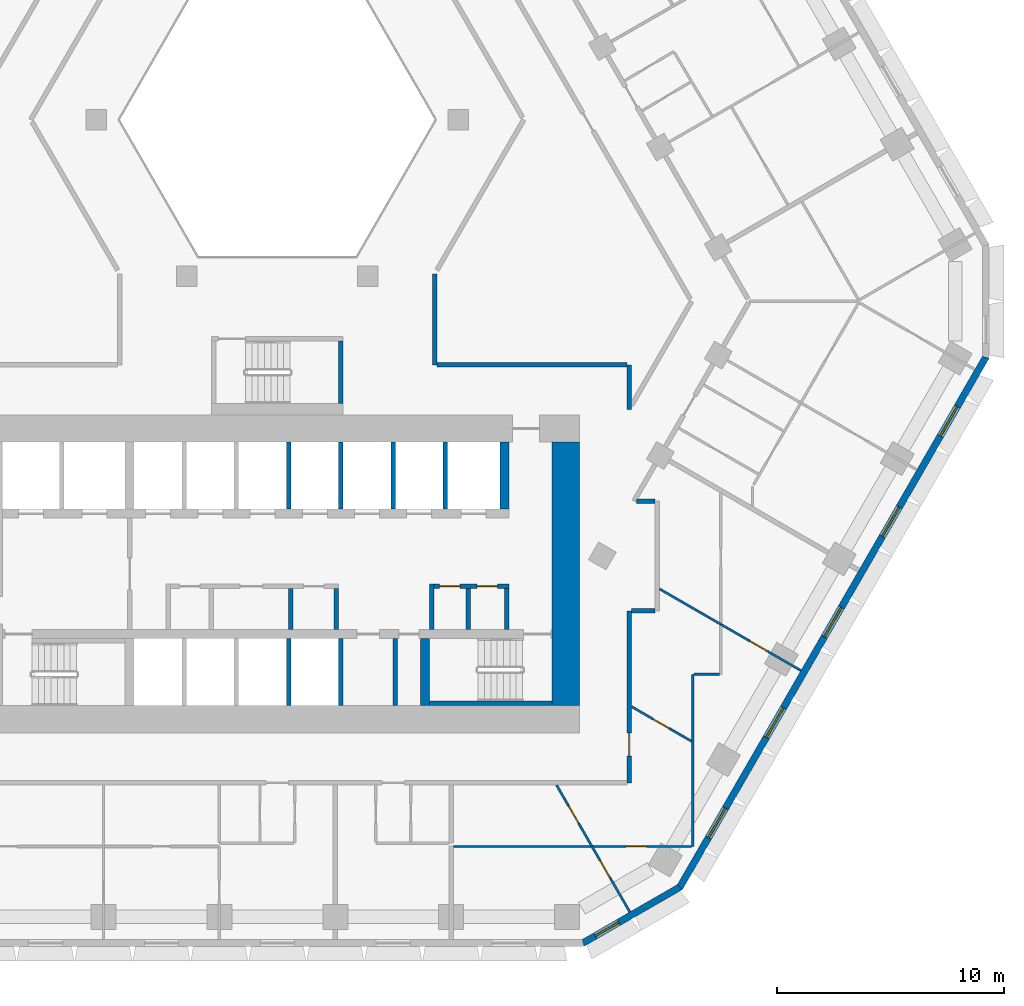
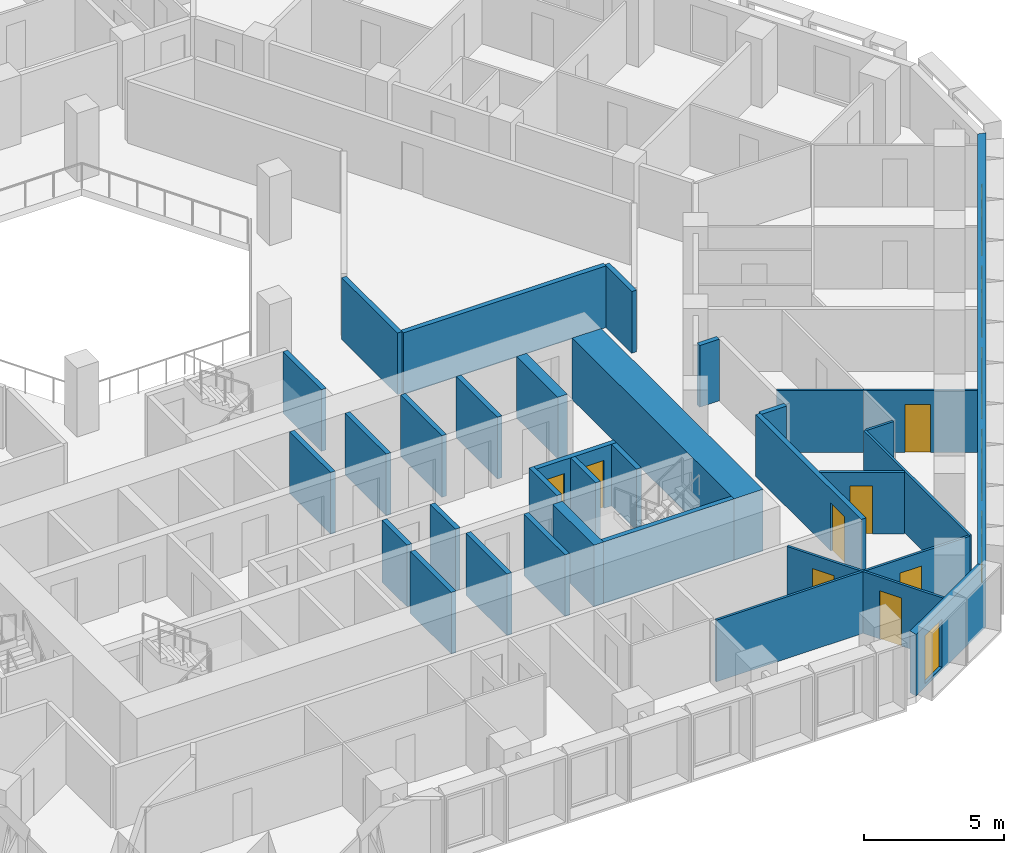
# One storey, part 6 of 16: 34 walls, 8 doors, 6 windows, 14 openings.
"""IFC4 building model written with IfcOpenShell, lengths in metres."""

from ifc_helpers import new_model, si_unit, direction, frame, frame_2d, origin, place, context, subcontext, project, spatial, polyline, rectangle, outline, extrude, material, layer, layer_set, type_object, element, fill, save


model = new_model("IFC4")

# Units and contexts
model_context = context("Model", 3, precision=1e-05, world=origin(), true_north=direction((0.0, 1.0)))
body_context = subcontext(model_context, "Body", "Model", "MODEL_VIEW")
ifc_project = project(units=[si_unit("LENGTHUNIT", "METRE"), si_unit("AREAUNIT", "SQUARE_METRE"), si_unit("VOLUMEUNIT", "CUBIC_METRE"), si_unit("PLANEANGLEUNIT", "RADIAN"), si_unit("MASSUNIT", "GRAM", prefix="KILO")], contexts=[model_context])

# Site, building, storey
site_placement = place(None, origin())
site = spatial("IfcSite", under=ifc_project, at=site_placement, CompositionType="ELEMENT")
building_placement = place(site_placement, origin())
building = spatial("IfcBuilding", under=site, at=building_placement, Name="Beryl Residences", CompositionType="ELEMENT")
storey_placement = place(building_placement, frame((0.0, 0.0, 32.39990234375)))
storey = spatial("IfcBuildingStorey", under=building, at=storey_placement, Name="L09", CompositionType="ELEMENT", Elevation=32.39990234375)

# Wall, opening, window
ifc_material_1 = material(Name="Composite metal panel with mineral wool insulation")
ifc_layer_1 = layer(ifc_material_1, 0.300048828125)
ifc_layer_set_1 = layer_set([ifc_layer_1], Name="ES1 pale metal composite panel wall 300 mm")
wall_type_1 = type_object("IfcWallType", Name="ES1 pale metal composite panel wall 300 mm", PredefinedType="SOLIDWALL", material=ifc_layer_set_1)
wall_1_placement = place(storey_placement, frame((13.43505859375, -28.27001953125, 0.0), z_axis=(0.0, 0.0, 1.0), x_axis=(0.866010750942, 0.50002537861, 0.0)))
wall_1 = element("IfcWall", 1, at=wall_1_placement, inside=storey, type_object=wall_type_1, Name="ES1 external wall L09 S-SE", PredefinedType="SOLIDWALL", context=body_context, shape_type="SweptSolid", body=[
    extrude(outline(polyline([(0.0, -0.14990234375), (4.999755859375, -0.14990234375), (4.91943359375, 0.14990234375), (0.080322265625, 0.14990234375), (0.0, -0.14990234375)])), origin(), (0.0, 0.0, 1.0), 2.7001953125),
])
opening_1_placement = place(wall_1_placement, frame((0.64990234375, 0.0, 0.14990234375)))
opening_1 = element("IfcOpeningElement", 2, at=opening_1_placement, cuts=wall_1, Name="Opening W2", PredefinedType="OPENING", context=body_context, shape_type="SweptSolid", body=[
    extrude(rectangle(XDim=1.199951171875, YDim=2.10009765625, at=frame_2d((0.60009765625, 1.050048828125))), frame((0.0, 0.159912109375, 0.0), z_axis=(0.0, -1.0, 0.0), x_axis=(1.0, 0.0, 0.0)), (0.0, 0.0, 1.0), 0.320068359375),
])
ifc_material_2 = material(Name="Aluminium and clear glass", Category="aluminium")
window_type_1 = type_object("IfcWindowType", Name="W2 chamfer window 1200 x 2100 mm", PartitioningType="SINGLE_PANEL", PredefinedType="WINDOW", material=ifc_material_2)
window_1_placement = place(opening_1_placement, origin())
window_1 = element("IfcWindow", 3, at=window_1_placement, inside=storey, type_object=window_type_1, Name="W2 window L09 S-SE 1", OverallHeight=2.10009765625, OverallWidth=1.199951171875, PartitioningType="SINGLE_PANEL", PredefinedType="WINDOW", context=body_context, shape_type="SweptSolid", body=[
    extrude(rectangle(XDim=1.199951171875, YDim=2.10009765625, at=frame_2d((0.60009765625, 1.050048828125))), frame((0.0, 0.030029296875, 0.0), z_axis=(0.0, -1.0, 0.0), x_axis=(1.0, 0.0, 0.0)), (0.0, 0.0, 1.0), 0.06005859375),
])
fill(opening_1, window_1)

# Wall, openings, windows
wall_2_placement = place(storey_placement, frame((17.7099609375, -25.824951171875, 0.0), z_axis=(0.0, 0.0, 1.0), x_axis=(0.500001938803, 0.866024284413, 0.0)))
wall_2 = element("IfcWall", 4, at=wall_2_placement, inside=storey, type_object=wall_type_1, Name="ES1 external wall L09 SE", PredefinedType="SOLIDWALL", context=body_context, shape_type="SweptSolid", body=[
    extrude(outline(polyline([(0.0, -0.14990234375), (27.02001953125, -0.14990234375), (26.939697265625, 0.14990234375), (0.080322265625, 0.14990234375), (0.0, -0.14990234375)])), origin(), (0.0, 0.0, 1.0), 2.7001953125),
])
opening_2_placement = place(wall_2_placement, frame((2.552978515625, 0.0, 0.14990234375)))
opening_2 = element("IfcOpeningElement", 5, at=opening_2_placement, cuts=wall_2, Name="Opening W1", PredefinedType="OPENING", context=body_context, shape_type="SweptSolid", body=[
    extrude(rectangle(XDim=1.5, YDim=2.10009765625, at=frame_2d((0.75, 1.050048828125))), frame((0.0, 0.159912109375, 0.0), z_axis=(0.0, -1.0, 0.0), x_axis=(1.0, 0.0, 0.0)), (0.0, 0.0, 1.0), 0.320068359375),
])
opening_3_placement = place(wall_2_placement, frame((7.657958984375, 0.0, 0.14990234375)))
opening_3 = element("IfcOpeningElement", 6, at=opening_3_placement, cuts=wall_2, Name="Opening W1", PredefinedType="OPENING", context=body_context, shape_type="SweptSolid", body=[
    extrude(rectangle(XDim=1.5, YDim=2.10009765625, at=frame_2d((0.75, 1.050048828125))), frame((0.0, 0.159912109375, 0.0), z_axis=(0.0, -1.0, 0.0), x_axis=(1.0, 0.0, 0.0)), (0.0, 0.0, 1.0), 0.320068359375),
])
opening_4_placement = place(wall_2_placement, frame((12.760986328125, 0.0, 0.14990234375)))
opening_4 = element("IfcOpeningElement", 7, at=opening_4_placement, cuts=wall_2, Name="Opening W1", PredefinedType="OPENING", context=body_context, shape_type="SweptSolid", body=[
    extrude(rectangle(XDim=1.5, YDim=2.10009765625, at=frame_2d((0.75, 1.050048828125))), frame((0.0, 0.159912109375, 0.0), z_axis=(0.0, -1.0, 0.0), x_axis=(1.0, 0.0, 0.0)), (0.0, 0.0, 1.0), 0.320068359375),
])
opening_5_placement = place(wall_2_placement, frame((17.864990234375, 0.0, 0.14990234375)))
opening_5 = element("IfcOpeningElement", 8, at=opening_5_placement, cuts=wall_2, Name="Opening W1", PredefinedType="OPENING", context=body_context, shape_type="SweptSolid", body=[
    extrude(rectangle(XDim=1.5, YDim=2.10009765625, at=frame_2d((0.75, 1.050048828125))), frame((0.0, 0.159912109375, 0.0), z_axis=(0.0, -1.0, 0.0), x_axis=(1.0, 0.0, 0.0)), (0.0, 0.0, 1.0), 0.320068359375),
])
opening_6_placement = place(wall_2_placement, frame((22.968994140625, 0.0, 0.14990234375)))
opening_6 = element("IfcOpeningElement", 9, at=opening_6_placement, cuts=wall_2, Name="Opening W1", PredefinedType="OPENING", context=body_context, shape_type="SweptSolid", body=[
    extrude(rectangle(XDim=1.5, YDim=2.10009765625, at=frame_2d((0.75, 1.050048828125))), frame((0.0, 0.159912109375, 0.0), z_axis=(0.0, -1.0, 0.0), x_axis=(1.0, 0.0, 0.0)), (0.0, 0.0, 1.0), 0.320068359375),
])
ifc_material_3 = material(Name="Aluminium and clear glass", Category="aluminium")
window_type_2 = type_object("IfcWindowType", Name="W1 cell window 1500 x 2100 mm", PartitioningType="SINGLE_PANEL", PredefinedType="WINDOW", material=ifc_material_3)
window_2_placement = place(opening_2_placement, origin())
window_2 = element("IfcWindow", 10, at=window_2_placement, inside=storey, type_object=window_type_2, Name="W1 window L09 SE 2", OverallHeight=2.10009765625, OverallWidth=1.5, PartitioningType="SINGLE_PANEL", PredefinedType="WINDOW", context=body_context, shape_type="SweptSolid", body=[
    extrude(rectangle(XDim=1.5, YDim=2.10009765625, at=frame_2d((0.75, 1.050048828125))), frame((0.0, 0.030029296875, 0.0), z_axis=(0.0, -1.0, 0.0), x_axis=(1.0, 0.0, 0.0)), (0.0, 0.0, 1.0), 0.06005859375),
])
fill(opening_2, window_2)
window_3_placement = place(opening_3_placement, origin())
window_3 = element("IfcWindow", 11, at=window_3_placement, inside=storey, type_object=window_type_2, Name="W1 window L09 SE 4", OverallHeight=2.10009765625, OverallWidth=1.5, PartitioningType="SINGLE_PANEL", PredefinedType="WINDOW", context=body_context, shape_type="SweptSolid", body=[
    extrude(rectangle(XDim=1.5, YDim=2.10009765625, at=frame_2d((0.75, 1.050048828125))), frame((0.0, 0.030029296875, 0.0), z_axis=(0.0, -1.0, 0.0), x_axis=(1.0, 0.0, 0.0)), (0.0, 0.0, 1.0), 0.06005859375),
])
fill(opening_3, window_3)
window_4_placement = place(opening_4_placement, origin())
window_4 = element("IfcWindow", 12, at=window_4_placement, inside=storey, type_object=window_type_2, Name="W1 window L09 SE 6", OverallHeight=2.10009765625, OverallWidth=1.5, PartitioningType="SINGLE_PANEL", PredefinedType="WINDOW", context=body_context, shape_type="SweptSolid", body=[
    extrude(rectangle(XDim=1.5, YDim=2.10009765625, at=frame_2d((0.75, 1.050048828125))), frame((0.0, 0.030029296875, 0.0), z_axis=(0.0, -1.0, 0.0), x_axis=(1.0, 0.0, 0.0)), (0.0, 0.0, 1.0), 0.06005859375),
])
fill(opening_4, window_4)
window_5_placement = place(opening_5_placement, origin())
window_5 = element("IfcWindow", 13, at=window_5_placement, inside=storey, type_object=window_type_2, Name="W1 window L09 SE 8", OverallHeight=2.10009765625, OverallWidth=1.5, PartitioningType="SINGLE_PANEL", PredefinedType="WINDOW", context=body_context, shape_type="SweptSolid", body=[
    extrude(rectangle(XDim=1.5, YDim=2.10009765625, at=frame_2d((0.75, 1.050048828125))), frame((0.0, 0.030029296875, 0.0), z_axis=(0.0, -1.0, 0.0), x_axis=(1.0, 0.0, 0.0)), (0.0, 0.0, 1.0), 0.06005859375),
])
fill(opening_5, window_5)
window_6_placement = place(opening_6_placement, origin())
window_6 = element("IfcWindow", 14, at=window_6_placement, inside=storey, type_object=window_type_2, Name="W1 window L09 SE 10", OverallHeight=2.10009765625, OverallWidth=1.5, PartitioningType="SINGLE_PANEL", PredefinedType="WINDOW", context=body_context, shape_type="SweptSolid", body=[
    extrude(rectangle(XDim=1.5, YDim=2.10009765625, at=frame_2d((0.75, 1.050048828125))), frame((0.0, 0.030029296875, 0.0), z_axis=(0.0, -1.0, 0.0), x_axis=(1.0, 0.0, 0.0)), (0.0, 0.0, 1.0), 0.06005859375),
])
fill(opening_6, window_6)

# Wall, opening, door
ifc_material_4 = material(Name="Gypsum board partition on steel studs", Category="steel")
ifc_layer_2 = layer(ifc_material_4, 0.10009765625)
ifc_layer_set_2 = layer_set([ifc_layer_2], Name="PT1 partition 100 mm gypsum board on steel studs")
wall_type_2 = type_object("IfcWallType", Name="PT1 partition 100 mm gypsum board on steel studs", PredefinedType="PARTITIONING", material=ifc_layer_set_2)
wall_3_placement = place(storey_placement, frame((12.297119140625, -21.300048828125, 0.0), z_axis=(0.0, 0.0, 1.0), x_axis=(0.500004896655, -0.866022576681, 0.0)))
wall_3 = element("IfcWall", 15, at=wall_3_placement, inside=storey, type_object=wall_type_2, Name="Wall PT1 L09 003", PredefinedType="PARTITIONING", context=body_context, shape_type="SweptSolid", body=[
    extrude(rectangle(XDim=3.11767578125, YDim=0.10009765625, at=frame_2d((1.558837890625, 0.0))), origin(), (0.0, 0.0, 1.0), 2.7001953125),
])
opening_7_placement = place(wall_3_placement, frame((1.051025390625, 0.0, 0.0)))
opening_7 = element("IfcOpeningElement", 16, at=opening_7_placement, cuts=wall_3, Name="Opening D0436", PredefinedType="OPENING", context=body_context, shape_type="SweptSolid", body=[
    extrude(rectangle(XDim=0.89990234375, YDim=2.10009765625, at=frame_2d((0.449951171875, 1.050048828125))), frame((0.0, 0.06005859375, 0.0), z_axis=(0.0, -1.0, 0.0), x_axis=(1.0, 0.0, 0.0)), (0.0, 0.0, 1.0), 0.1201171875),
])
ifc_material_5 = material(Name="Timber door leaf", Category="wood")
door_type_1 = type_object("IfcDoorType", Name="D2 room door 900 x 2100 mm", OperationType="SINGLE_SWING_LEFT", PredefinedType="DOOR", material=ifc_material_5)
door_1_placement = place(opening_7_placement, origin())
door_1 = element("IfcDoor", 17, at=door_1_placement, inside=storey, type_object=door_type_1, Name="Door D0436 L09 001", OperationType="SINGLE_SWING_RIGHT", OverallHeight=2.10009765625, OverallWidth=0.89990234375, PredefinedType="DOOR", context=body_context, shape_type="SweptSolid", body=[
    extrude(rectangle(XDim=0.89990234375, YDim=2.10009765625, at=frame_2d((0.449951171875, 1.050048828125))), frame((0.0, 0.02490234375, 0.0), z_axis=(0.0, -1.0, 0.0), x_axis=(1.0, 0.0, 0.0)), (0.0, 0.0, 1.0), 0.050048828125),
])
fill(opening_7, door_1)

wall_4_placement = place(storey_placement, frame((15.60009765625, -17.845947265625, 0.0), z_axis=(0.0, 0.0, 1.0), x_axis=(0.866148385016, -0.499786929736, 0.0)))
wall_4 = element("IfcWall", 18, at=wall_4_placement, inside=storey, type_object=wall_type_2, Name="Wall PT1 L09 017", PredefinedType="PARTITIONING", context=body_context, shape_type="SweptSolid", body=[
    extrude(rectangle(XDim=3.059326171875, YDim=0.10009765625, at=frame_2d((1.52978515625, 0.0))), origin(), (0.0, 0.0, 1.0), 2.7001953125),
])
opening_8_placement = place(wall_4_placement, frame((1.10107421875, 0.0, 0.0)))
opening_8 = element("IfcOpeningElement", 19, at=opening_8_placement, cuts=wall_4, Name="Opening D0437", PredefinedType="OPENING", context=body_context, shape_type="SweptSolid", body=[
    extrude(rectangle(XDim=0.800048828125, YDim=2.10009765625, at=frame_2d((0.39990234375, 1.050048828125))), frame((0.0, 0.06005859375, 0.0), z_axis=(0.0, -1.0, 0.0), x_axis=(1.0, 0.0, 0.0)), (0.0, 0.0, 1.0), 0.1201171875),
])
ifc_material_6 = material(Name="Timber door leaf", Category="wood")
door_type_2 = type_object("IfcDoorType", Name="D3 bathroom door 800 x 2100 mm", OperationType="SINGLE_SWING_LEFT", PredefinedType="DOOR", material=ifc_material_6)
door_2_placement = place(opening_8_placement, origin())
door_2 = element("IfcDoor", 20, at=door_2_placement, inside=storey, type_object=door_type_2, Name="Door D0437 L09 001", OperationType="SINGLE_SWING_LEFT", OverallHeight=2.10009765625, OverallWidth=0.800048828125, PredefinedType="DOOR", context=body_context, shape_type="SweptSolid", body=[
    extrude(rectangle(XDim=0.800048828125, YDim=2.10009765625, at=frame_2d((0.39990234375, 1.050048828125))), frame((0.0, 0.02490234375, 0.0), z_axis=(0.0, -1.0, 0.0), x_axis=(1.0, 0.0, 0.0)), (0.0, 0.0, 1.0), 0.050048828125),
])
fill(opening_8, door_2)

# Walls
wall_5_placement = place(storey_placement, frame((16.827880859375, -12.660888671875, 0.0), z_axis=(0.0, 0.0, 1.0), x_axis=(0.866008246423, -0.500029716244, 0.0)))
element("IfcWall", 21, at=wall_5_placement, inside=storey, type_object=wall_type_2, Name="Wall PT1 L09 019", PredefinedType="PARTITIONING", context=body_context, shape_type="SweptSolid", body=[
    extrude(rectangle(XDim=3.117919921875, YDim=0.10009765625, at=frame_2d((1.55908203125, 0.0))), origin(), (0.0, 0.0, 1.0), 2.7001953125),
])
wall_6_placement = place(storey_placement, frame((18.35009765625, -16.424072265625, 0.0), z_axis=(0.0, 0.0, 1.0), x_axis=(1.0, 0.0, 0.0)))
element("IfcWall", 22, at=wall_6_placement, inside=storey, type_object=wall_type_2, Name="Wall PT1 L09 029", PredefinedType="PARTITIONING", context=body_context, shape_type="SweptSolid", body=[
    extrude(rectangle(XDim=1.1279296875, YDim=0.10009765625, at=frame_2d((0.56396484375, 0.0))), origin(), (0.0, 0.0, 1.0), 2.7001953125),
])

# Wall, opening, door
wall_7_placement = place(storey_placement, frame((7.757080078125, -24.0, 0.0), z_axis=(0.0, 0.0, 1.0), x_axis=(1.0, 0.0, 0.0)))
wall_7 = element("IfcWall", 23, at=wall_7_placement, inside=storey, type_object=wall_type_2, Name="Wall PT1 L09 033", PredefinedType="PARTITIONING", context=body_context, shape_type="SweptSolid", body=[
    extrude(rectangle(XDim=10.492919921875, YDim=0.10009765625, at=frame_2d((5.24658203125, 0.0))), origin(), (0.0, 0.0, 1.0), 2.7001953125),
])
opening_9_placement = place(wall_7_placement, frame((7.593017578125, 0.0, 0.0)))
opening_9 = element("IfcOpeningElement", 24, at=opening_9_placement, cuts=wall_7, Name="Opening D0435", PredefinedType="OPENING", context=body_context, shape_type="SweptSolid", body=[
    extrude(rectangle(XDim=0.89990234375, YDim=2.10009765625, at=frame_2d((0.449951171875, 1.050048828125))), frame((0.0, 0.06005859375, 0.0), z_axis=(0.0, -1.0, 0.0), x_axis=(1.0, 0.0, 0.0)), (0.0, 0.0, 1.0), 0.1201171875),
])
door_3_placement = place(opening_9_placement, origin())
door_3 = element("IfcDoor", 25, at=door_3_placement, inside=storey, type_object=door_type_1, Name="Door D0435 L09 001", OperationType="SINGLE_SWING_LEFT", OverallHeight=2.10009765625, OverallWidth=0.89990234375, PredefinedType="DOOR", context=body_context, shape_type="SweptSolid", body=[
    extrude(rectangle(XDim=0.89990234375, YDim=2.10009765625, at=frame_2d((0.449951171875, 1.050048828125))), frame((0.0, 0.02490234375, 0.0), z_axis=(0.0, -1.0, 0.0), x_axis=(1.0, 0.0, 0.0)), (0.0, 0.0, 1.0), 0.050048828125),
])
fill(opening_9, door_3)

# Wall
wall_8_placement = place(storey_placement, frame((18.300048828125, -24.0, 0.0), z_axis=(0.0, 0.0, 1.0), x_axis=(0.0, 1.0, 0.0)))
element("IfcWall", 26, at=wall_8_placement, inside=storey, type_object=wall_type_2, Name="Wall PT1 L09 046", PredefinedType="PARTITIONING", context=body_context, shape_type="SweptSolid", body=[
    extrude(rectangle(XDim=7.575927734375, YDim=0.10009765625, at=frame_2d((3.7880859375, 0.0))), origin(), (0.0, 0.0, 1.0), 2.7001953125),
])

# Wall, opening, door
wall_9_placement = place(storey_placement, frame((13.85595703125, -24.0, 0.0), z_axis=(0.0, 0.0, 1.0), x_axis=(0.50010451262, -0.865965054986, 0.0)))
wall_9 = element("IfcWall", 27, at=wall_9_placement, inside=storey, type_object=wall_type_2, Name="Wall PT1 L09 072", PredefinedType="PARTITIONING", context=body_context, shape_type="SweptSolid", body=[
    extrude(rectangle(XDim=3.337158203125, YDim=0.10009765625, at=frame_2d((1.66845703125, 0.0))), origin(), (0.0, 0.0, 1.0), 2.7001953125),
])
opening_10_placement = place(wall_9_placement, frame((0.718017578125, 0.0, 0.0)))
opening_10 = element("IfcOpeningElement", 28, at=opening_10_placement, cuts=wall_9, Name="Opening D0439", PredefinedType="OPENING", context=body_context, shape_type="SweptSolid", body=[
    extrude(rectangle(XDim=0.89990234375, YDim=2.10009765625, at=frame_2d((0.449951171875, 1.050048828125))), frame((0.0, 0.06005859375, 0.0), z_axis=(0.0, -1.0, 0.0), x_axis=(1.0, 0.0, 0.0)), (0.0, 0.0, 1.0), 0.1201171875),
])
door_4_placement = place(opening_10_placement, origin())
door_4 = element("IfcDoor", 29, at=door_4_placement, inside=storey, type_object=door_type_1, Name="Door D0439 L09 001", OperationType="SINGLE_SWING_LEFT", OverallHeight=2.10009765625, OverallWidth=0.89990234375, PredefinedType="DOOR", context=body_context, shape_type="SweptSolid", body=[
    extrude(rectangle(XDim=0.89990234375, YDim=2.10009765625, at=frame_2d((0.449951171875, 1.050048828125))), frame((0.0, 0.02490234375, 0.0), z_axis=(0.0, -1.0, 0.0), x_axis=(1.0, 0.0, 0.0)), (0.0, 0.0, 1.0), 0.050048828125),
])
fill(opening_10, door_4)

wall_10_placement = place(storey_placement, frame((19.528076171875, -14.219970703125, 0.0), z_axis=(0.0, 0.0, 1.0), x_axis=(0.866039047082, -0.499976368371, 0.0)))
wall_10 = element("IfcWall", 30, at=wall_10_placement, inside=storey, type_object=wall_type_2, Name="Wall PT1 L09 073", PredefinedType="PARTITIONING", context=body_context, shape_type="SweptSolid", body=[
    extrude(rectangle(XDim=4.078369140625, YDim=0.10009765625, at=frame_2d((2.0390625, 0.0))), origin(), (0.0, 0.0, 1.0), 2.7001953125),
])
opening_11_placement = place(wall_10_placement, frame((1.489013671875, 0.0, 0.0)))
opening_11 = element("IfcOpeningElement", 31, at=opening_11_placement, cuts=wall_10, Name="Opening D0438", PredefinedType="OPENING", context=body_context, shape_type="SweptSolid", body=[
    extrude(rectangle(XDim=0.89990234375, YDim=2.10009765625, at=frame_2d((0.449951171875, 1.050048828125))), frame((0.0, 0.06005859375, 0.0), z_axis=(0.0, -1.0, 0.0), x_axis=(1.0, 0.0, 0.0)), (0.0, 0.0, 1.0), 0.1201171875),
])
door_5_placement = place(opening_11_placement, origin())
door_5 = element("IfcDoor", 32, at=door_5_placement, inside=storey, type_object=door_type_1, Name="Door D0438 L09 001", OperationType="SINGLE_SWING_RIGHT", OverallHeight=2.10009765625, OverallWidth=0.89990234375, PredefinedType="DOOR", context=body_context, shape_type="SweptSolid", body=[
    extrude(rectangle(XDim=0.89990234375, YDim=2.10009765625, at=frame_2d((0.449951171875, 1.050048828125))), frame((0.0, 0.02490234375, 0.0), z_axis=(0.0, -1.0, 0.0), x_axis=(1.0, 0.0, 0.0)), (0.0, 0.0, 1.0), 0.050048828125),
])
fill(opening_11, door_5)

# Walls
ifc_material_7 = material(Name="Concrete masonry", Category="masonry")
ifc_layer_3 = layer(ifc_material_7, 0.199951171875)
ifc_layer_set_3 = layer_set([ifc_layer_3], Name="PT13 lobby wall 200 mm")
wall_type_3 = type_object("IfcWallType", Name="PT13 lobby wall 200 mm", PredefinedType="PARTITIONING", material=ifc_layer_set_3)
wall_11_placement = place(storey_placement, frame((2.60009765625, -14.449951171875, 0.0), z_axis=(0.0, 0.0, 1.0), x_axis=(0.0, 1.0, 0.0)))
element("IfcWall", 33, at=wall_11_placement, inside=storey, type_object=wall_type_3, Name="Lobby wall 17", PredefinedType="PARTITIONING", context=body_context, shape_type="SweptSolid", body=[
    extrude(rectangle(XDim=1.800048828125, YDim=0.199951171875, at=frame_2d((0.89990234375, 0.0))), origin(), (0.0, 0.0, 1.0), 2.7001953125),
])
wall_12_placement = place(storey_placement, frame((6.800048828125, -14.449951171875, 0.0), z_axis=(0.0, 0.0, 1.0), x_axis=(0.0, 1.0, 0.0)))
element("IfcWall", 34, at=wall_12_placement, inside=storey, type_object=wall_type_3, Name="Lobby wall 23", PredefinedType="PARTITIONING", context=body_context, shape_type="SweptSolid", body=[
    extrude(rectangle(XDim=2.0, YDim=0.199951171875, at=frame_2d((1.0, 0.0))), origin(), (0.0, 0.0, 1.0), 2.7001953125),
])

# Wall, openings, doors
wall_13_placement = place(storey_placement, frame((6.89990234375, -12.550048828125, 0.0), z_axis=(0.0, 0.0, 1.0), x_axis=(1.0, 0.0, 0.0)))
wall_13 = element("IfcWall", 35, at=wall_13_placement, inside=storey, type_object=wall_type_3, Name="Lobby wall 24", PredefinedType="PARTITIONING", context=body_context, shape_type="SweptSolid", body=[
    extrude(rectangle(XDim=3.300048828125, YDim=0.199951171875, at=frame_2d((1.64990234375, 0.0))), origin(), (0.0, 0.0, 1.0), 2.7001953125),
])
opening_12_placement = place(wall_13_placement, frame((1.14990234375, 0.0, 0.0), z_axis=(0.0, 0.0, 1.0), x_axis=(-1.0, 0.0, 0.0)))
opening_12 = element("IfcOpeningElement", 36, at=opening_12_placement, cuts=wall_13, Name="Opening CD-D-A4-900", PredefinedType="OPENING", context=body_context, shape_type="SweptSolid", body=[
    extrude(rectangle(XDim=0.89990234375, YDim=2.10009765625, at=frame_2d((0.449951171875, 1.050048828125))), frame((0.0, 0.10986328125, 0.0), z_axis=(0.0, -1.0, 0.0), x_axis=(1.0, 0.0, 0.0)), (0.0, 0.0, 1.0), 0.219970703125),
])
opening_13_placement = place(wall_13_placement, frame((2.7998046875, 0.0, 0.0), z_axis=(0.0, 0.0, 1.0), x_axis=(-1.0, 0.0, 0.0)))
opening_13 = element("IfcOpeningElement", 37, at=opening_13_placement, cuts=wall_13, Name="Opening CD-D-A5-900", PredefinedType="OPENING", context=body_context, shape_type="SweptSolid", body=[
    extrude(rectangle(XDim=0.89990234375, YDim=2.10009765625, at=frame_2d((0.449951171875, 1.050048828125))), frame((0.0, 0.10986328125, 0.0), z_axis=(0.0, -1.0, 0.0), x_axis=(1.0, 0.0, 0.0)), (0.0, 0.0, 1.0), 0.219970703125),
])
ifc_material_8 = material(Name="Steel door leaf in steel frame", Category="steel")
door_type_3 = type_object("IfcDoorType", Name="D6 service room door 900 x 2100 mm", OperationType="SINGLE_SWING_LEFT", PredefinedType="DOOR", material=ifc_material_8)
door_6_placement = place(opening_12_placement, origin())
door_6 = element("IfcDoor", 38, at=door_6_placement, inside=storey, type_object=door_type_3, Name="Door CD-D-A4-900 L09 001", OperationType="SINGLE_SWING_LEFT", OverallHeight=2.10009765625, OverallWidth=0.89990234375, PredefinedType="DOOR", context=body_context, shape_type="SweptSolid", body=[
    extrude(rectangle(XDim=0.89990234375, YDim=2.10009765625, at=frame_2d((0.449951171875, 1.050048828125))), frame((0.0, 0.02490234375, 0.0), z_axis=(0.0, -1.0, 0.0), x_axis=(1.0, 0.0, 0.0)), (0.0, 0.0, 1.0), 0.050048828125),
])
fill(opening_12, door_6)
door_7_placement = place(opening_13_placement, origin())
door_7 = element("IfcDoor", 39, at=door_7_placement, inside=storey, type_object=door_type_3, Name="Door CD-D-A5-900 L09 001", OperationType="SINGLE_SWING_RIGHT", OverallHeight=2.10009765625, OverallWidth=0.89990234375, PredefinedType="DOOR", context=body_context, shape_type="SweptSolid", body=[
    extrude(rectangle(XDim=0.89990234375, YDim=2.10009765625, at=frame_2d((0.449951171875, 1.050048828125))), frame((0.0, 0.02490234375, 0.0), z_axis=(0.0, -1.0, 0.0), x_axis=(1.0, 0.0, 0.0)), (0.0, 0.0, 1.0), 0.050048828125),
])
fill(opening_13, door_7)

# Walls
wall_14_placement = place(storey_placement, frame((10.10009765625, -14.449951171875, 0.0), z_axis=(0.0, 0.0, 1.0), x_axis=(0.0, 1.0, 0.0)))
element("IfcWall", 40, at=wall_14_placement, inside=storey, type_object=wall_type_3, Name="Lobby wall 27", PredefinedType="PARTITIONING", context=body_context, shape_type="SweptSolid", body=[
    extrude(rectangle(XDim=1.800048828125, YDim=0.199951171875, at=frame_2d((0.89990234375, 0.0))), origin(), (0.0, 0.0, 1.0), 2.7001953125),
])
ifc_material_9 = material(Name="Double stud gypsum board wall")
ifc_layer_4 = layer(ifc_material_9, 0.199951171875)
ifc_layer_set_4 = layer_set([ifc_layer_4], Name="PT4 corridor wall 200 mm double stud")
wall_type_4 = type_object("IfcWallType", Name="PT4 corridor wall 200 mm double stud", PredefinedType="PARTITIONING", material=ifc_layer_set_4)
wall_15_placement = place(storey_placement, frame((15.822021484375, -8.7939453125, 0.0), z_axis=(0.0, 0.0, 1.0), x_axis=(1.0, 0.0, 0.0)))
element("IfcWall", 41, at=wall_15_placement, inside=storey, type_object=wall_type_4, Name="Wall PT4 L09 010", PredefinedType="PARTITIONING", context=body_context, shape_type="SweptSolid", body=[
    extrude(rectangle(XDim=0.805908203125, YDim=0.199951171875, at=frame_2d((0.40283203125, 0.0))), origin(), (0.0, 0.0, 1.0), 2.7001953125),
])
wall_16_placement = place(storey_placement, frame((15.60009765625, -13.6240234375, 0.0), z_axis=(0.0, 0.0, 1.0), x_axis=(1.0, 0.0, 0.0)))
element("IfcWall", 42, at=wall_16_placement, inside=storey, type_object=wall_type_4, Name="Wall PT4 L09 011", PredefinedType="PARTITIONING", context=body_context, shape_type="SweptSolid", body=[
    extrude(rectangle(XDim=1.02783203125, YDim=0.199951171875, at=frame_2d((0.513916015625, 0.0))), origin(), (0.0, 0.0, 1.0), 2.7001953125),
])
wall_17_placement = place(storey_placement, frame((7.028076171875, -2.800048828125, 0.0), z_axis=(0.0, 0.0, 1.0), x_axis=(1.0, 0.0, 0.0)))
element("IfcWall", 43, at=wall_17_placement, inside=storey, type_object=wall_type_4, Name="Wall PT4 L09 015", PredefinedType="PARTITIONING", context=body_context, shape_type="SweptSolid", body=[
    extrude(rectangle(XDim=8.371826171875, YDim=0.199951171875, at=frame_2d((4.18603515625, 0.0))), origin(), (0.0, 0.0, 1.0), 2.7001953125),
])
wall_18_placement = place(storey_placement, frame((6.927978515625, -2.800048828125, 0.0), z_axis=(0.0, 0.0, 1.0), x_axis=(0.0, 1.0, 0.0)))
element("IfcWall", 44, at=wall_18_placement, inside=storey, type_object=wall_type_4, Name="Wall PT4 L09 025", PredefinedType="PARTITIONING", context=body_context, shape_type="SweptSolid", body=[
    extrude(rectangle(XDim=4.0, YDim=0.199951171875, at=frame_2d((2.0, 0.0))), origin(), (0.0, 0.0, 1.0), 2.7001953125),
])

# Wall, opening, door
wall_19_placement = place(storey_placement, frame((15.5, -21.198974609375, 0.0), z_axis=(0.0, 0.0, 1.0), x_axis=(0.0, 1.0, 0.0)))
wall_19 = element("IfcWall", 45, at=wall_19_placement, inside=storey, type_object=wall_type_4, Name="Wall PT4 L09 026", PredefinedType="PARTITIONING", context=body_context, shape_type="SweptSolid", body=[
    extrude(rectangle(XDim=7.574951171875, YDim=0.199951171875, at=frame_2d((3.78759765625, 0.0))), origin(), (0.0, 0.0, 1.0), 2.7001953125),
])
opening_14_placement = place(wall_19_placement, frame((1.18798828125, 0.0, 0.0)))
opening_14 = element("IfcOpeningElement", 46, at=opening_14_placement, cuts=wall_19, Name="Opening D0434", PredefinedType="OPENING", context=body_context, shape_type="SweptSolid", body=[
    extrude(rectangle(XDim=1.0, YDim=2.10009765625, at=frame_2d((0.5, 1.050048828125))), frame((0.0, 0.10986328125, 0.0), z_axis=(0.0, -1.0, 0.0), x_axis=(1.0, 0.0, 0.0)), (0.0, 0.0, 1.0), 0.219970703125),
])
ifc_material_10 = material(Name="Timber door leaf", Category="wood")
door_type_4 = type_object("IfcDoorType", Name="D1 flat entrance door 1000 x 2100 mm", OperationType="SINGLE_SWING_LEFT", PredefinedType="DOOR", material=ifc_material_10)
door_8_placement = place(opening_14_placement, origin())
door_8 = element("IfcDoor", 47, at=door_8_placement, inside=storey, type_object=door_type_4, Name="Door D0434 L09 001", OperationType="SINGLE_SWING_RIGHT", OverallHeight=2.10009765625, OverallWidth=1.0, PredefinedType="DOOR", context=body_context, shape_type="SweptSolid", body=[
    extrude(rectangle(XDim=1.0, YDim=2.10009765625, at=frame_2d((0.5, 1.050048828125))), frame((0.0, 0.02490234375, 0.0), z_axis=(0.0, -1.0, 0.0), x_axis=(1.0, 0.0, 0.0)), (0.0, 0.0, 1.0), 0.050048828125),
])
fill(opening_14, door_8)

# Walls
wall_20_placement = place(storey_placement, frame((15.5, -4.751953125, 0.0), z_axis=(0.0, 0.0, 1.0), x_axis=(0.0, 1.0, 0.0)))
element("IfcWall", 48, at=wall_20_placement, inside=storey, type_object=wall_type_4, Name="Wall PT4 L09 027", PredefinedType="PARTITIONING", context=body_context, shape_type="SweptSolid", body=[
    extrude(rectangle(XDim=1.951904296875, YDim=0.199951171875, at=frame_2d((0.97607421875, 0.0))), origin(), (0.0, 0.0, 1.0), 2.7001953125),
])
ifc_material_11 = material(Name="Concrete C40/50", Category="concrete")
ifc_layer_5 = layer(ifc_material_11, 0.199951171875)
ifc_layer_set_5 = layer_set([ifc_layer_5], Name="PT5 stair enclosure wall 200 mm reinforced concrete C40/50")
wall_type_5 = type_object("IfcWallType", Name="PT5 stair enclosure wall 200 mm reinforced concrete C40/50", PredefinedType="SOLIDWALL", material=ifc_layer_set_5)
wall_21_placement = place(storey_placement, frame((2.800048828125, -4.5, 0.0), z_axis=(0.0, 0.0, 1.0), x_axis=(0.0, 1.0, 0.0)))
element("IfcWall", 49, at=wall_21_placement, inside=storey, type_object=wall_type_5, Name="Wall PT5 L09 003", PredefinedType="SOLIDWALL", context=body_context, shape_type="SweptSolid", body=[
    extrude(rectangle(XDim=2.75, YDim=0.199951171875, at=frame_2d((1.375, 0.0))), origin(), (0.0, 0.0, 1.0), 2.7001953125),
])
wall_22_placement = place(storey_placement, frame((6.699951171875, -17.699951171875, 0.0), z_axis=(0.0, 0.0, 1.0), x_axis=(1.0, 0.0, 0.0)))
element("IfcWall", 50, at=wall_22_placement, inside=storey, type_object=wall_type_5, Name="Stair wall 22", PredefinedType="SOLIDWALL", context=body_context, shape_type="SweptSolid", body=[
    extrude(rectangle(XDim=5.400146484375, YDim=0.199951171875, at=frame_2d((2.7001953125, 0.0))), origin(), (0.0, 0.0, 1.0), 2.7001953125),
])
ifc_material_12 = material(Name="Concrete C40/50", Category="concrete")
ifc_layer_6 = layer(ifc_material_12, 0.199951171875)
ifc_layer_set_6 = layer_set([ifc_layer_6], Name="PT6 lift shaft wall 200 mm reinforced concrete C40/50")
wall_type_6 = type_object("IfcWallType", Name="PT6 lift shaft wall 200 mm reinforced concrete C40/50", PredefinedType="SOLIDWALL", material=ifc_layer_set_6)
for number, where, z_axis, x_axis, name in (
    (51, (0.5, -17.800048828125, 0.0), (0.0, 0.0, 1.0), (0.0, 1.0, 0.0), "Lift shaft wall 14"),
    (52, (0.5, -9.14990234375, 0.0), (0.0, 0.0, 1.0), (0.0, 1.0, 0.0), "Lift shaft wall 15"),
    (53, (2.800048828125, -17.800048828125, 0.0), (0.0, 0.0, 1.0), (0.0, 1.0, 0.0), "Lift shaft wall 18"),
    (54, (2.800048828125, -9.14990234375, 0.0), (0.0, 0.0, 1.0), (0.0, 1.0, 0.0), "Lift shaft wall 19"),
    (55, (5.10009765625, -9.14990234375, 0.0), (0.0, 0.0, 1.0), (0.0, 1.0, 0.0), "Lift shaft wall 20"),
    (56, (7.39990234375, -9.14990234375, 0.0), (0.0, 0.0, 1.0), (0.0, 1.0, 0.0), "Lift shaft wall 25"),
):
    element("IfcWall", number, at=place(storey_placement, frame(where, z_axis=z_axis, x_axis=x_axis)), inside=storey, type_object=wall_type_6, Name=name, PredefinedType="SOLIDWALL", context=body_context, shape_type="SweptSolid", body=[
        extrude(rectangle(XDim=2.949951171875, YDim=0.199951171875, at=frame_2d((1.47509765625, 0.0))), origin(), (0.0, 0.0, 1.0), 2.7001953125),
    ])
ifc_material_13 = material(Name="Concrete masonry", Category="masonry")
ifc_layer_7 = layer(ifc_material_13, 0.199951171875)
ifc_layer_set_7 = layer_set([ifc_layer_7], Name="PT7-200 riser wall 200 mm")
wall_type_7 = type_object("IfcWallType", Name="PT7-200 riser wall 200 mm", PredefinedType="PARTITIONING", material=ifc_layer_set_7)
wall_23_placement = place(storey_placement, frame((5.199951171875, -17.800048828125, 0.0), z_axis=(0.0, 0.0, 1.0), x_axis=(0.0, 1.0, 0.0)))
element("IfcWall", 57, at=wall_23_placement, inside=storey, type_object=wall_type_7, Name="Riser wall 21", PredefinedType="PARTITIONING", context=body_context, shape_type="SweptSolid", body=[
    extrude(rectangle(XDim=2.949951171875, YDim=0.199951171875, at=frame_2d((1.47509765625, 0.0))), origin(), (0.0, 0.0, 1.0), 2.7001953125),
])
ifc_material_14 = material(Name="Concrete masonry", Category="masonry")
ifc_layer_8 = layer(ifc_material_14, 0.199951171875)
ifc_layer_set_8 = layer_set([ifc_layer_8], Name="PT8-200 service room wall 200 mm")
wall_type_8 = type_object("IfcWallType", Name="PT8-200 service room wall 200 mm", PredefinedType="PARTITIONING", material=ifc_layer_set_8)
for number, where, z_axis, x_axis, name in (
    (58, (0.60009765625, -14.449951171875, 0.0), (0.0, 0.0, 1.0), (0.0, 1.0, 0.0), "Core room wall 16"),
    (59, (8.39990234375, -14.449951171875, 0.0), (0.0, 0.0, 1.0), (0.0, 1.0, 0.0), "Core room wall 26"),
):
    element("IfcWall", number, at=place(storey_placement, frame(where, z_axis=z_axis, x_axis=x_axis)), inside=storey, type_object=wall_type_8, Name=name, PredefinedType="PARTITIONING", context=body_context, shape_type="SweptSolid", body=[
        extrude(rectangle(XDim=1.800048828125, YDim=0.199951171875, at=frame_2d((0.89990234375, 0.0))), origin(), (0.0, 0.0, 1.0), 2.7001953125),
    ])
ifc_material_15 = material(Name="Concrete C80/95", Category="concrete")
ifc_layer_9 = layer(ifc_material_15, 1.199951171875)
ifc_layer_set_9 = layer_set([ifc_layer_9], Name="SW1 core outer wall 1200 mm C80/95")
wall_type_9 = type_object("IfcWallType", Name="SW1 core outer wall 1200 mm C80/95", PredefinedType="SHEAR", material=ifc_layer_set_9)
wall_24_placement = place(storey_placement, frame((12.699951171875, -17.800048828125, 0.0), z_axis=(0.0, 0.0, 1.0), x_axis=(0.0, 1.0, 0.0)))
element("IfcWall", 60, at=wall_24_placement, inside=storey, type_object=wall_type_9, Name="Core wall E L09", PredefinedType="SHEAR", context=body_context, shape_type="SweptSolid", body=[
    extrude(rectangle(XDim=11.60009765625, YDim=1.199951171875, at=frame_2d((5.800048828125, 0.0))), origin(), (0.0, 0.0, 1.0), 2.7001953125),
])
ifc_material_16 = material(Name="Concrete C80/95", Category="concrete")
ifc_layer_10 = layer(ifc_material_16, 0.39990234375)
ifc_layer_set_10 = layer_set([ifc_layer_10], Name="SW6 core internal wall 400 mm C80/95")
wall_type_10 = type_object("IfcWallType", Name="SW6 core internal wall 400 mm C80/95", PredefinedType="SHEAR", material=ifc_layer_set_10)
for number, where, z_axis, x_axis, name in (
    (61, (6.5, -17.800048828125, 0.0), (0.0, 0.0, 1.0), (0.0, 1.0, 0.0), "Core wall XS2 L09"),
    (62, (10.0, -9.14990234375, 0.0), (0.0, 0.0, 1.0), (0.0, 1.0, 0.0), "Core wall XN2 L09"),
):
    element("IfcWall", number, at=place(storey_placement, frame(where, z_axis=z_axis, x_axis=x_axis)), inside=storey, type_object=wall_type_10, Name=name, PredefinedType="SHEAR", context=body_context, shape_type="SweptSolid", body=[
        extrude(rectangle(XDim=2.949951171875, YDim=0.39990234375, at=frame_2d((1.47509765625, 0.0))), origin(), (0.0, 0.0, 1.0), 2.7001953125),
    ])

save(model, "model.ifc")
